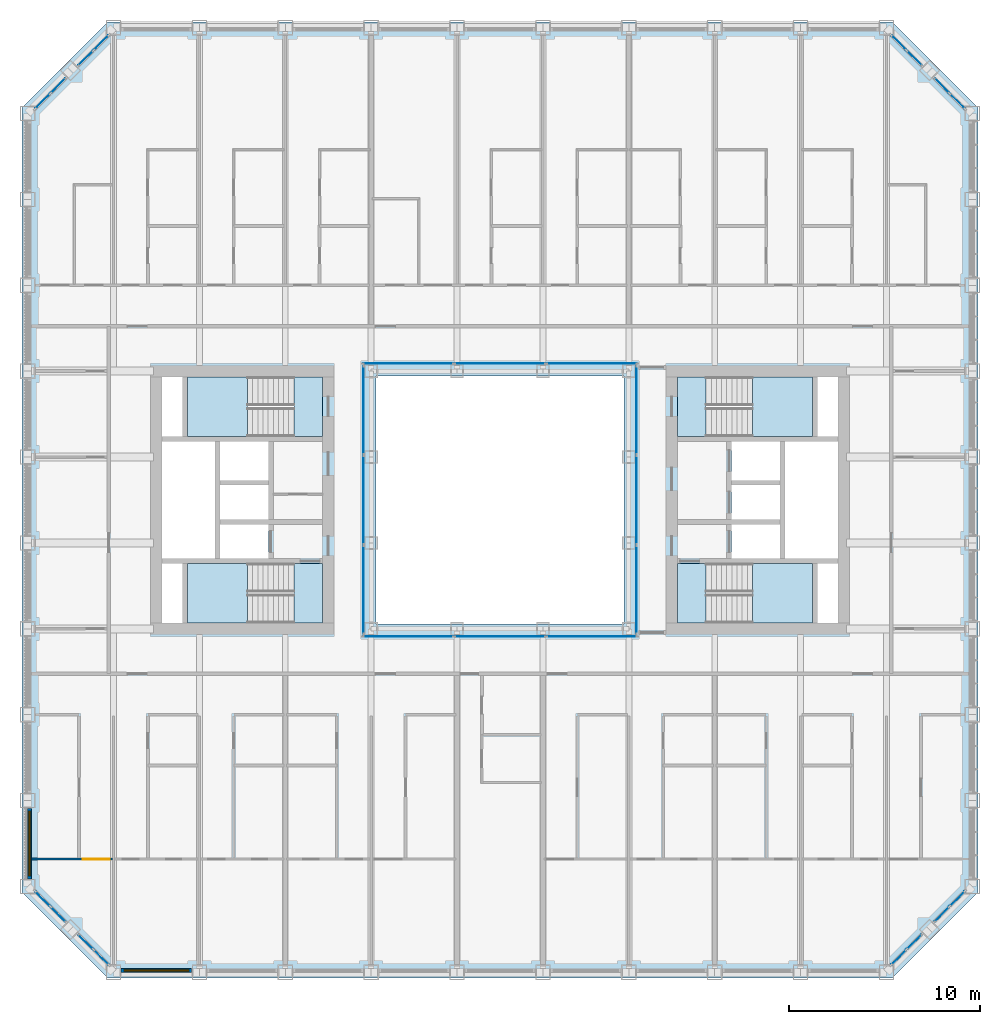
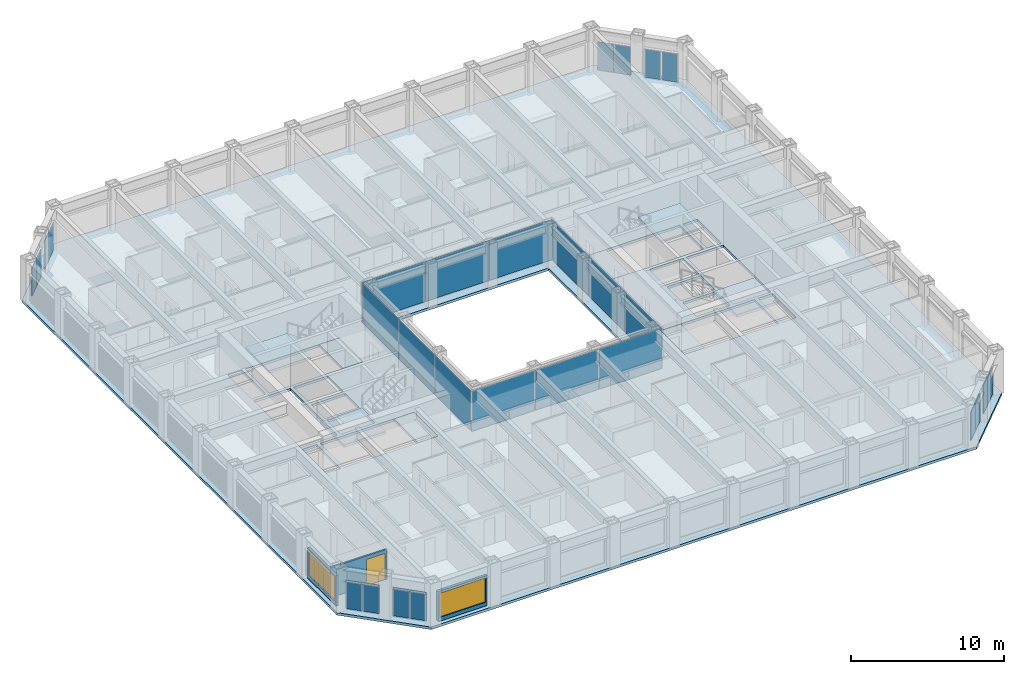
# One storey, part 8 of 21: 28 plates, 9 slabs, 3 walls, 2 windows, 1 door, 3 openings, 16 elements without a shape of their own.
"""IFC4 building model written with IfcOpenShell, lengths in metres."""

from ifc_helpers import new_model, si_unit, direction, frame, frame_2d, origin, origin_2d, place, context, subcontext, project, spatial, polyline, rectangle, outline, extrude, material, layer, layer_set, type_object, element, fill, aggregate, save


model = new_model("IFC4")

# Units and contexts
model_context = context("Model", 3, precision=1e-05, world=origin(), true_north=direction((0.0, 1.0)))
body_context = subcontext(model_context, "Body", "Model", "MODEL_VIEW")
ifc_project = project(units=[si_unit("LENGTHUNIT", "METRE"), si_unit("AREAUNIT", "SQUARE_METRE"), si_unit("VOLUMEUNIT", "CUBIC_METRE"), si_unit("PLANEANGLEUNIT", "RADIAN"), si_unit("MASSUNIT", "GRAM", prefix="KILO")], contexts=[model_context])

# Site, building, storey
site_placement = place(None, origin())
site = spatial("IfcSite", under=ifc_project, at=site_placement, CompositionType="ELEMENT")
building_placement = place(site_placement, origin())
building = spatial("IfcBuilding", under=site, at=building_placement, Name="Msasa Ring Tower", CompositionType="ELEMENT")
storey_placement = place(building_placement, frame((0.0, 0.0, 68.5)))
storey = spatial("IfcBuildingStorey", under=building, at=storey_placement, Name="L17", CompositionType="ELEMENT", Elevation=68.5)

# Curtain wall, plates
ifc_material_1 = material(Name="Aluminium curtain wall with clear glass", Category="aluminium")
curtain_wall_type_1 = type_object("IfcCurtainWallType", Name="CW-C CHAMFER CORNER CURTAIN WALL", PredefinedType="NOTDEFINED", material=ifc_material_1)
curtain_wall_1_placement = place(storey_placement, origin())
curtain_wall_1 = element("IfcCurtainWall", 1, at=curtain_wall_1_placement, inside=storey, type_object=curtain_wall_type_1, Name="Chamfer corner curtain wall SE L17", PredefinedType="NOTDEFINED")
ifc_material_2 = material(Name="Clear laminated insulating glass unit", Category="glass")
ifc_layer_1 = layer(ifc_material_2, 0.031982421875)
ifc_layer_set_1 = layer_set([ifc_layer_1], Name="CW-C GLASS PANEL 32")
plate_type_1 = type_object("IfcPlateType", Name="CW-C GLASS PANEL 32", PredefinedType="CURTAIN_PANEL", material=ifc_layer_set_1)
plate_1_placement = place(storey_placement, frame((20.896484375, -23.962158203125, 0.06494140625), z_axis=(0.0, 0.0, 1.0), x_axis=(0.707106781187, 0.707106781187, 0.0)))
plate_1 = element("IfcPlate", 2, at=plate_1_placement, type_object=plate_type_1, Name="CW-C panel 1.1", PredefinedType="CURTAIN_PANEL", context=body_context, shape_type="SweptSolid", body=[
    extrude(rectangle(XDim=1.08837890625, YDim=0.031982421875, at=origin_2d()), origin(), (0.0, 0.0, 1.0), 2.2490234375),
])
plate_2_placement = place(storey_placement, frame((21.712158203125, -23.146484375, 0.06494140625), z_axis=(0.0, 0.0, 1.0), x_axis=(0.707106781187, 0.707106781187, 0.0)))
plate_2 = element("IfcPlate", 3, at=plate_2_placement, type_object=plate_type_1, Name="CW-C panel 2.1", PredefinedType="CURTAIN_PANEL", context=body_context, shape_type="SweptSolid", body=[
    extrude(rectangle(XDim=1.08837890625, YDim=0.031982421875, at=origin_2d()), origin(), (0.0, 0.0, 1.0), 2.2490234375),
])
aggregate(curtain_wall_1, [plate_1, plate_2])

curtain_wall_2_placement = place(storey_placement, origin())
curtain_wall_2 = element("IfcCurtainWall", 4, at=curtain_wall_2_placement, inside=storey, type_object=curtain_wall_type_1, Name="Chamfer corner curtain wall SE L17", PredefinedType="NOTDEFINED")
plate_3_placement = place(storey_placement, frame((23.146484375, -21.712158203125, 0.06494140625), z_axis=(0.0, 0.0, 1.0), x_axis=(0.707106781187, 0.707106781187, 0.0)))
plate_3 = element("IfcPlate", 5, at=plate_3_placement, type_object=plate_type_1, Name="CW-C panel 1.1", PredefinedType="CURTAIN_PANEL", context=body_context, shape_type="SweptSolid", body=[
    extrude(rectangle(XDim=1.08837890625, YDim=0.031982421875, at=origin_2d()), origin(), (0.0, 0.0, 1.0), 2.2490234375),
])
plate_4_placement = place(storey_placement, frame((23.962158203125, -20.896484375, 0.06494140625), z_axis=(0.0, 0.0, 1.0), x_axis=(0.707106781187, 0.707106781187, 0.0)))
plate_4 = element("IfcPlate", 6, at=plate_4_placement, type_object=plate_type_1, Name="CW-C panel 2.1", PredefinedType="CURTAIN_PANEL", context=body_context, shape_type="SweptSolid", body=[
    extrude(rectangle(XDim=1.08837890625, YDim=0.031982421875, at=origin_2d()), origin(), (0.0, 0.0, 1.0), 2.2490234375),
])
aggregate(curtain_wall_2, [plate_3, plate_4])

curtain_wall_3_placement = place(storey_placement, origin())
curtain_wall_3 = element("IfcCurtainWall", 7, at=curtain_wall_3_placement, inside=storey, type_object=curtain_wall_type_1, Name="Chamfer corner curtain wall NE L17", PredefinedType="NOTDEFINED")
plate_5_placement = place(storey_placement, frame((21.712158203125, 23.146484375, 0.06494140625), z_axis=(0.0, 0.0, 1.0), x_axis=(-0.707106781187, 0.707106781187, 0.0)))
plate_5 = element("IfcPlate", 8, at=plate_5_placement, type_object=plate_type_1, Name="CW-C panel 1.1", PredefinedType="CURTAIN_PANEL", context=body_context, shape_type="SweptSolid", body=[
    extrude(rectangle(XDim=1.08837890625, YDim=0.031982421875, at=origin_2d()), origin(), (0.0, 0.0, 1.0), 2.2490234375),
])
plate_6_placement = place(storey_placement, frame((20.896484375, 23.962158203125, 0.06494140625), z_axis=(0.0, 0.0, 1.0), x_axis=(-0.707106781187, 0.707106781187, 0.0)))
plate_6 = element("IfcPlate", 9, at=plate_6_placement, type_object=plate_type_1, Name="CW-C panel 2.1", PredefinedType="CURTAIN_PANEL", context=body_context, shape_type="SweptSolid", body=[
    extrude(rectangle(XDim=1.08837890625, YDim=0.031982421875, at=origin_2d()), origin(), (0.0, 0.0, 1.0), 2.2490234375),
])
aggregate(curtain_wall_3, [plate_5, plate_6])

curtain_wall_4_placement = place(storey_placement, origin())
curtain_wall_4 = element("IfcCurtainWall", 10, at=curtain_wall_4_placement, inside=storey, type_object=curtain_wall_type_1, Name="Chamfer corner curtain wall NE L17", PredefinedType="NOTDEFINED")
plate_7_placement = place(storey_placement, frame((23.962158203125, 20.896484375, 0.06494140625), z_axis=(0.0, 0.0, 1.0), x_axis=(-0.707106781187, 0.707106781187, 0.0)))
plate_7 = element("IfcPlate", 11, at=plate_7_placement, type_object=plate_type_1, Name="CW-C panel 1.1", PredefinedType="CURTAIN_PANEL", context=body_context, shape_type="SweptSolid", body=[
    extrude(rectangle(XDim=1.08837890625, YDim=0.031982421875, at=origin_2d()), origin(), (0.0, 0.0, 1.0), 2.2490234375),
])
plate_8_placement = place(storey_placement, frame((23.146484375, 21.712158203125, 0.06494140625), z_axis=(0.0, 0.0, 1.0), x_axis=(-0.707106781187, 0.707106781187, 0.0)))
plate_8 = element("IfcPlate", 12, at=plate_8_placement, type_object=plate_type_1, Name="CW-C panel 2.1", PredefinedType="CURTAIN_PANEL", context=body_context, shape_type="SweptSolid", body=[
    extrude(rectangle(XDim=1.08837890625, YDim=0.031982421875, at=origin_2d()), origin(), (0.0, 0.0, 1.0), 2.2490234375),
])
aggregate(curtain_wall_4, [plate_7, plate_8])

curtain_wall_5_placement = place(storey_placement, origin())
curtain_wall_5 = element("IfcCurtainWall", 13, at=curtain_wall_5_placement, inside=storey, type_object=curtain_wall_type_1, Name="Chamfer corner curtain wall NW L17", PredefinedType="NOTDEFINED")
plate_9_placement = place(storey_placement, frame((-23.146484375, 21.712158203125, 0.06494140625), z_axis=(0.0, 0.0, 1.0), x_axis=(-0.707106781187, -0.707106781187, 0.0)))
plate_9 = element("IfcPlate", 14, at=plate_9_placement, type_object=plate_type_1, Name="CW-C panel 1.1", PredefinedType="CURTAIN_PANEL", context=body_context, shape_type="SweptSolid", body=[
    extrude(rectangle(XDim=1.08837890625, YDim=0.031982421875, at=origin_2d()), origin(), (0.0, 0.0, 1.0), 2.2490234375),
])
plate_10_placement = place(storey_placement, frame((-23.962158203125, 20.896484375, 0.06494140625), z_axis=(0.0, 0.0, 1.0), x_axis=(-0.707106781187, -0.707106781187, 0.0)))
plate_10 = element("IfcPlate", 15, at=plate_10_placement, type_object=plate_type_1, Name="CW-C panel 2.1", PredefinedType="CURTAIN_PANEL", context=body_context, shape_type="SweptSolid", body=[
    extrude(rectangle(XDim=1.08837890625, YDim=0.031982421875, at=origin_2d()), origin(), (0.0, 0.0, 1.0), 2.2490234375),
])
aggregate(curtain_wall_5, [plate_9, plate_10])

curtain_wall_6_placement = place(storey_placement, origin())
curtain_wall_6 = element("IfcCurtainWall", 16, at=curtain_wall_6_placement, inside=storey, type_object=curtain_wall_type_1, Name="Chamfer corner curtain wall NW L17", PredefinedType="NOTDEFINED")
plate_11_placement = place(storey_placement, frame((-20.896484375, 23.962158203125, 0.06494140625), z_axis=(0.0, 0.0, 1.0), x_axis=(-0.707106781187, -0.707106781187, 0.0)))
plate_11 = element("IfcPlate", 17, at=plate_11_placement, type_object=plate_type_1, Name="CW-C panel 1.1", PredefinedType="CURTAIN_PANEL", context=body_context, shape_type="SweptSolid", body=[
    extrude(rectangle(XDim=1.08837890625, YDim=0.031982421875, at=origin_2d()), origin(), (0.0, 0.0, 1.0), 2.2490234375),
])
plate_12_placement = place(storey_placement, frame((-21.712158203125, 23.146484375, 0.06494140625), z_axis=(0.0, 0.0, 1.0), x_axis=(-0.707106781187, -0.707106781187, 0.0)))
plate_12 = element("IfcPlate", 18, at=plate_12_placement, type_object=plate_type_1, Name="CW-C panel 2.1", PredefinedType="CURTAIN_PANEL", context=body_context, shape_type="SweptSolid", body=[
    extrude(rectangle(XDim=1.08837890625, YDim=0.031982421875, at=origin_2d()), origin(), (0.0, 0.0, 1.0), 2.2490234375),
])
aggregate(curtain_wall_6, [plate_11, plate_12])

curtain_wall_7_placement = place(storey_placement, origin())
curtain_wall_7 = element("IfcCurtainWall", 19, at=curtain_wall_7_placement, inside=storey, type_object=curtain_wall_type_1, Name="Chamfer corner curtain wall SW L17", PredefinedType="NOTDEFINED")
plate_13_placement = place(storey_placement, frame((-23.962158203125, -20.896484375, 0.06494140625), z_axis=(0.0, 0.0, 1.0), x_axis=(0.707106781187, -0.707106781187, 0.0)))
plate_13 = element("IfcPlate", 20, at=plate_13_placement, type_object=plate_type_1, Name="CW-C panel 1.1", PredefinedType="CURTAIN_PANEL", context=body_context, shape_type="SweptSolid", body=[
    extrude(rectangle(XDim=1.08837890625, YDim=0.031982421875, at=origin_2d()), origin(), (0.0, 0.0, 1.0), 2.2490234375),
])
plate_14_placement = place(storey_placement, frame((-23.146484375, -21.712158203125, 0.06494140625), z_axis=(0.0, 0.0, 1.0), x_axis=(0.707106781187, -0.707106781187, 0.0)))
plate_14 = element("IfcPlate", 21, at=plate_14_placement, type_object=plate_type_1, Name="CW-C panel 2.1", PredefinedType="CURTAIN_PANEL", context=body_context, shape_type="SweptSolid", body=[
    extrude(rectangle(XDim=1.08837890625, YDim=0.031982421875, at=origin_2d()), origin(), (0.0, 0.0, 1.0), 2.2490234375),
])
aggregate(curtain_wall_7, [plate_13, plate_14])

curtain_wall_8_placement = place(storey_placement, origin())
curtain_wall_8 = element("IfcCurtainWall", 22, at=curtain_wall_8_placement, inside=storey, type_object=curtain_wall_type_1, Name="Chamfer corner curtain wall SW L17", PredefinedType="NOTDEFINED")
plate_15_placement = place(storey_placement, frame((-21.712158203125, -23.146484375, 0.06494140625), z_axis=(0.0, 0.0, 1.0), x_axis=(0.707106781187, -0.707106781187, 0.0)))
plate_15 = element("IfcPlate", 23, at=plate_15_placement, type_object=plate_type_1, Name="CW-C panel 1.1", PredefinedType="CURTAIN_PANEL", context=body_context, shape_type="SweptSolid", body=[
    extrude(rectangle(XDim=1.08837890625, YDim=0.031982421875, at=origin_2d()), origin(), (0.0, 0.0, 1.0), 2.2490234375),
])
plate_16_placement = place(storey_placement, frame((-20.896484375, -23.962158203125, 0.06494140625), z_axis=(0.0, 0.0, 1.0), x_axis=(0.707106781187, -0.707106781187, 0.0)))
plate_16 = element("IfcPlate", 24, at=plate_16_placement, type_object=plate_type_1, Name="CW-C panel 2.1", PredefinedType="CURTAIN_PANEL", context=body_context, shape_type="SweptSolid", body=[
    extrude(rectangle(XDim=1.08837890625, YDim=0.031982421875, at=origin_2d()), origin(), (0.0, 0.0, 1.0), 2.2490234375),
])
aggregate(curtain_wall_8, [plate_15, plate_16])

ifc_material_3 = material(Name="Aluminium curtain wall with clear glass", Category="aluminium")
curtain_wall_type_2 = type_object("IfcCurtainWallType", Name="CW-W LIGHT WELL CURTAIN WALL", PredefinedType="NOTDEFINED", material=ifc_material_3)
curtain_wall_9_placement = place(storey_placement, origin())
curtain_wall_9 = element("IfcCurtainWall", 25, at=curtain_wall_9_placement, inside=storey, type_object=curtain_wall_type_2, Name="Light well curtain wall N L17", PredefinedType="NOTDEFINED")
ifc_material_4 = material(Name="Clear laminated insulating glass unit", Category="glass")
ifc_layer_2 = layer(ifc_material_4, 0.028076171875)
ifc_layer_set_2 = layer_set([ifc_layer_2], Name="CW-W GLASS PANEL 28")
plate_type_2 = type_object("IfcPlateType", Name="CW-W GLASS PANEL 28", PredefinedType="CURTAIN_PANEL", material=ifc_layer_set_2)
plate_17_placement = place(storey_placement, frame((-4.804931640625, 7.14990234375, 0.06005859375), z_axis=(0.0, 0.0, 1.0), x_axis=(1.0, 0.0, 0.0)))
plate_17 = element("IfcPlate", 26, at=plate_17_placement, type_object=plate_type_2, Name="CW-W panel 1.1", PredefinedType="CURTAIN_PANEL", context=body_context, shape_type="SweptSolid", body=[
    extrude(rectangle(XDim=4.72998046875, YDim=0.028076171875, at=origin_2d()), origin(), (0.0, 0.0, 1.0), 3.179931640625),
])
plate_18_placement = place(storey_placement, frame((0.0, 7.14990234375, 0.06005859375), z_axis=(0.0, 0.0, 1.0), x_axis=(1.0, 0.0, 0.0)))
plate_18 = element("IfcPlate", 27, at=plate_18_placement, type_object=plate_type_2, Name="CW-W panel 2.1", PredefinedType="CURTAIN_PANEL", context=body_context, shape_type="SweptSolid", body=[
    extrude(rectangle(XDim=4.760009765625, YDim=0.028076171875, at=origin_2d()), origin(), (0.0, 0.0, 1.0), 3.179931640625),
])
plate_19_placement = place(storey_placement, frame((4.804931640625, 7.14990234375, 0.06005859375), z_axis=(0.0, 0.0, 1.0), x_axis=(1.0, 0.0, 0.0)))
plate_19 = element("IfcPlate", 28, at=plate_19_placement, type_object=plate_type_2, Name="CW-W panel 3.1", PredefinedType="CURTAIN_PANEL", context=body_context, shape_type="SweptSolid", body=[
    extrude(rectangle(XDim=4.72998046875, YDim=0.028076171875, at=origin_2d()), origin(), (0.0, 0.0, 1.0), 3.179931640625),
])
aggregate(curtain_wall_9, [plate_17, plate_18, plate_19])

curtain_wall_10_placement = place(storey_placement, origin())
curtain_wall_10 = element("IfcCurtainWall", 29, at=curtain_wall_10_placement, inside=storey, type_object=curtain_wall_type_2, Name="Light well curtain wall S L17", PredefinedType="NOTDEFINED")
plate_20_placement = place(storey_placement, frame((-4.804931640625, -7.14990234375, 0.06005859375), z_axis=(0.0, 0.0, 1.0), x_axis=(1.0, 0.0, 0.0)))
plate_20 = element("IfcPlate", 30, at=plate_20_placement, type_object=plate_type_2, Name="CW-W panel 1.1", PredefinedType="CURTAIN_PANEL", context=body_context, shape_type="SweptSolid", body=[
    extrude(rectangle(XDim=4.72998046875, YDim=0.028076171875, at=origin_2d()), origin(), (0.0, 0.0, 1.0), 3.179931640625),
])
plate_21_placement = place(storey_placement, frame((0.0, -7.14990234375, 0.06005859375), z_axis=(0.0, 0.0, 1.0), x_axis=(1.0, 0.0, 0.0)))
plate_21 = element("IfcPlate", 31, at=plate_21_placement, type_object=plate_type_2, Name="CW-W panel 2.1", PredefinedType="CURTAIN_PANEL", context=body_context, shape_type="SweptSolid", body=[
    extrude(rectangle(XDim=4.760009765625, YDim=0.028076171875, at=origin_2d()), origin(), (0.0, 0.0, 1.0), 3.179931640625),
])
plate_22_placement = place(storey_placement, frame((4.804931640625, -7.14990234375, 0.06005859375), z_axis=(0.0, 0.0, 1.0), x_axis=(1.0, 0.0, 0.0)))
plate_22 = element("IfcPlate", 32, at=plate_22_placement, type_object=plate_type_2, Name="CW-W panel 3.1", PredefinedType="CURTAIN_PANEL", context=body_context, shape_type="SweptSolid", body=[
    extrude(rectangle(XDim=4.72998046875, YDim=0.028076171875, at=origin_2d()), origin(), (0.0, 0.0, 1.0), 3.179931640625),
])
aggregate(curtain_wall_10, [plate_20, plate_21, plate_22])

curtain_wall_11_placement = place(storey_placement, origin())
curtain_wall_11 = element("IfcCurtainWall", 33, at=curtain_wall_11_placement, inside=storey, type_object=curtain_wall_type_2, Name="Light well curtain wall E L17", PredefinedType="NOTDEFINED")
plate_23_placement = place(storey_placement, frame((7.14990234375, -4.6982421875, 0.06005859375), z_axis=(0.0, 0.0, 1.0), x_axis=(0.0, 1.0, 0.0)))
plate_23 = element("IfcPlate", 34, at=plate_23_placement, type_object=plate_type_2, Name="CW-W panel 1.1", PredefinedType="CURTAIN_PANEL", context=body_context, shape_type="SweptSolid", body=[
    extrude(rectangle(XDim=4.623291015625, YDim=0.028076171875, at=origin_2d()), origin(), (0.0, 0.0, 1.0), 3.179931640625),
])
plate_24_placement = place(storey_placement, frame((7.14990234375, 0.0, 0.06005859375), z_axis=(0.0, 0.0, 1.0), x_axis=(0.0, 1.0, 0.0)))
plate_24 = element("IfcPlate", 35, at=plate_24_placement, type_object=plate_type_2, Name="CW-W panel 2.1", PredefinedType="CURTAIN_PANEL", context=body_context, shape_type="SweptSolid", body=[
    extrude(rectangle(XDim=4.6533203125, YDim=0.028076171875, at=origin_2d()), origin(), (0.0, 0.0, 1.0), 3.179931640625),
])
plate_25_placement = place(storey_placement, frame((7.14990234375, 4.6982421875, 0.06005859375), z_axis=(0.0, 0.0, 1.0), x_axis=(0.0, 1.0, 0.0)))
plate_25 = element("IfcPlate", 36, at=plate_25_placement, type_object=plate_type_2, Name="CW-W panel 3.1", PredefinedType="CURTAIN_PANEL", context=body_context, shape_type="SweptSolid", body=[
    extrude(rectangle(XDim=4.623291015625, YDim=0.028076171875, at=origin_2d()), origin(), (0.0, 0.0, 1.0), 3.179931640625),
])
aggregate(curtain_wall_11, [plate_23, plate_24, plate_25])

curtain_wall_12_placement = place(storey_placement, origin())
curtain_wall_12 = element("IfcCurtainWall", 37, at=curtain_wall_12_placement, inside=storey, type_object=curtain_wall_type_2, Name="Light well curtain wall W L17", PredefinedType="NOTDEFINED")
plate_26_placement = place(storey_placement, frame((-7.14990234375, -4.6982421875, 0.06005859375), z_axis=(0.0, 0.0, 1.0), x_axis=(0.0, 1.0, 0.0)))
plate_26 = element("IfcPlate", 38, at=plate_26_placement, type_object=plate_type_2, Name="CW-W panel 1.1", PredefinedType="CURTAIN_PANEL", context=body_context, shape_type="SweptSolid", body=[
    extrude(rectangle(XDim=4.623291015625, YDim=0.028076171875, at=origin_2d()), origin(), (0.0, 0.0, 1.0), 3.179931640625),
])
plate_27_placement = place(storey_placement, frame((-7.14990234375, 0.0, 0.06005859375), z_axis=(0.0, 0.0, 1.0), x_axis=(0.0, 1.0, 0.0)))
plate_27 = element("IfcPlate", 39, at=plate_27_placement, type_object=plate_type_2, Name="CW-W panel 2.1", PredefinedType="CURTAIN_PANEL", context=body_context, shape_type="SweptSolid", body=[
    extrude(rectangle(XDim=4.6533203125, YDim=0.028076171875, at=origin_2d()), origin(), (0.0, 0.0, 1.0), 3.179931640625),
])
plate_28_placement = place(storey_placement, frame((-7.14990234375, 4.6982421875, 0.06005859375), z_axis=(0.0, 0.0, 1.0), x_axis=(0.0, 1.0, 0.0)))
plate_28 = element("IfcPlate", 40, at=plate_28_placement, type_object=plate_type_2, Name="CW-W panel 3.1", PredefinedType="CURTAIN_PANEL", context=body_context, shape_type="SweptSolid", body=[
    extrude(rectangle(XDim=4.623291015625, YDim=0.028076171875, at=origin_2d()), origin(), (0.0, 0.0, 1.0), 3.179931640625),
])
aggregate(curtain_wall_12, [plate_26, plate_27, plate_28])

# Stair, slabs
ifc_material_5 = material(Name="Concrete C40/50", Category="concrete")
stair_type = type_object("IfcStairType", Name="STC CORE STAIR 20 RISERS 175", PredefinedType="HALF_TURN_STAIR", material=ifc_material_5)
stair_1_placement = place(storey_placement, origin())
stair_1 = element("IfcStair", 41, at=stair_1_placement, inside=storey, type_object=stair_type, Name="Core stair SEA L17", PredefinedType="HALF_TURN_STAIR")
ifc_material_6 = material(Name="Concrete C40/50", Category="concrete")
ifc_layer_3 = layer(ifc_material_6, 0.199951171875)
ifc_layer_set_3 = layer_set([ifc_layer_3], Name="LD1 CORE STAIR LANDING 200")
slab_type_1 = type_object("IfcSlabType", Name="LD1 CORE STAIR LANDING 200", PredefinedType="LANDING", material=ifc_layer_set_3)
slab_1_placement = place(storey_placement, frame((0.0, 0.0, -0.199951171875)))
slab_1 = element("IfcSlab", 42, at=slab_1_placement, type_object=slab_type_1, Name="SEA landing 1", PredefinedType="LANDING", context=body_context, shape_type="SweptSolid", body=[
    extrude(outline(polyline([(9.300048828125, -6.449951171875), (10.800048828125, -6.449951171875), (10.800048828125, -3.324951171875), (9.300048828125, -3.324951171875), (9.300048828125, -6.449951171875)])), origin(), (0.0, 0.0, 1.0), 0.199951171875),
])
slab_2_placement = place(storey_placement, frame((0.0, 0.0, 1.550048828125)))
slab_2 = element("IfcSlab", 43, at=slab_2_placement, type_object=slab_type_1, Name="SEA landing 2", PredefinedType="LANDING", context=body_context, shape_type="SweptSolid", body=[
    extrude(outline(polyline([(13.22998046875, -6.449951171875), (16.375, -6.449951171875), (16.375, -3.324951171875), (13.22998046875, -3.324951171875), (13.22998046875, -6.449951171875)])), origin(), (0.0, 0.0, 1.0), 0.199951171875),
])
aggregate(stair_1, [slab_1, slab_2])

stair_2_placement = place(storey_placement, origin())
stair_2 = element("IfcStair", 44, at=stair_2_placement, inside=storey, type_object=stair_type, Name="Core stair SEB L17", PredefinedType="HALF_TURN_STAIR")
slab_3_placement = place(storey_placement, frame((0.0, 0.0, -0.199951171875)))
slab_3 = element("IfcSlab", 45, at=slab_3_placement, type_object=slab_type_1, Name="SEB landing 1", PredefinedType="LANDING", context=body_context, shape_type="SweptSolid", body=[
    extrude(outline(polyline([(9.300048828125, 3.324951171875), (10.800048828125, 3.324951171875), (10.800048828125, 6.449951171875), (9.300048828125, 6.449951171875), (9.300048828125, 3.324951171875)])), origin(), (0.0, 0.0, 1.0), 0.199951171875),
])
slab_4_placement = place(storey_placement, frame((0.0, 0.0, 1.550048828125)))
slab_4 = element("IfcSlab", 46, at=slab_4_placement, type_object=slab_type_1, Name="SEB landing 2", PredefinedType="LANDING", context=body_context, shape_type="SweptSolid", body=[
    extrude(outline(polyline([(13.22998046875, 3.324951171875), (16.375, 3.324951171875), (16.375, 6.449951171875), (13.22998046875, 6.449951171875), (13.22998046875, 3.324951171875)])), origin(), (0.0, 0.0, 1.0), 0.199951171875),
])
aggregate(stair_2, [slab_3, slab_4])

stair_3_placement = place(storey_placement, origin())
stair_3 = element("IfcStair", 47, at=stair_3_placement, inside=storey, type_object=stair_type, Name="Core stair SWA L17", PredefinedType="HALF_TURN_STAIR")
slab_5_placement = place(storey_placement, frame((0.0, 0.0, -0.199951171875)))
slab_5 = element("IfcSlab", 48, at=slab_5_placement, type_object=slab_type_1, Name="SWA landing 1", PredefinedType="LANDING", context=body_context, shape_type="SweptSolid", body=[
    extrude(outline(polyline([(-10.800048828125, -6.449951171875), (-9.300048828125, -6.449951171875), (-9.300048828125, -3.324951171875), (-10.800048828125, -3.324951171875), (-10.800048828125, -6.449951171875)])), origin(), (0.0, 0.0, 1.0), 0.199951171875),
])
slab_6_placement = place(storey_placement, frame((0.0, 0.0, 1.550048828125)))
slab_6 = element("IfcSlab", 49, at=slab_6_placement, type_object=slab_type_1, Name="SWA landing 2", PredefinedType="LANDING", context=body_context, shape_type="SweptSolid", body=[
    extrude(outline(polyline([(-16.375, -6.449951171875), (-13.22998046875, -6.449951171875), (-13.22998046875, -3.324951171875), (-16.375, -3.324951171875), (-16.375, -6.449951171875)])), origin(), (0.0, 0.0, 1.0), 0.199951171875),
])
aggregate(stair_3, [slab_5, slab_6])

stair_4_placement = place(storey_placement, origin())
stair_4 = element("IfcStair", 50, at=stair_4_placement, inside=storey, type_object=stair_type, Name="Core stair SWB L17", PredefinedType="HALF_TURN_STAIR")
slab_7_placement = place(storey_placement, frame((0.0, 0.0, -0.199951171875)))
slab_7 = element("IfcSlab", 51, at=slab_7_placement, type_object=slab_type_1, Name="SWB landing 1", PredefinedType="LANDING", context=body_context, shape_type="SweptSolid", body=[
    extrude(outline(polyline([(-10.800048828125, 3.324951171875), (-9.300048828125, 3.324951171875), (-9.300048828125, 6.449951171875), (-10.800048828125, 6.449951171875), (-10.800048828125, 3.324951171875)])), origin(), (0.0, 0.0, 1.0), 0.199951171875),
])
slab_8_placement = place(storey_placement, frame((0.0, 0.0, 1.550048828125)))
slab_8 = element("IfcSlab", 52, at=slab_8_placement, type_object=slab_type_1, Name="SWB landing 2", PredefinedType="LANDING", context=body_context, shape_type="SweptSolid", body=[
    extrude(outline(polyline([(-16.375, 3.324951171875), (-13.22998046875, 3.324951171875), (-13.22998046875, 6.449951171875), (-16.375, 6.449951171875), (-16.375, 3.324951171875)])), origin(), (0.0, 0.0, 1.0), 0.199951171875),
])
aggregate(stair_4, [slab_7, slab_8])

# Slab
ifc_material_7 = material(Name="Concrete C40/50", Category="concrete")
ifc_layer_4 = layer(ifc_material_7, 0.199951171875)
ifc_layer_set_4 = layer_set([ifc_layer_4], Name="S3 RESIDENCE FLOOR 200")
slab_type_2 = type_object("IfcSlabType", Name="S3 RESIDENCE FLOOR 200", PredefinedType="FLOOR", material=ifc_layer_set_4)
slab_9_placement = place(storey_placement, frame((0.0, 0.0, -0.199951171875)))
element("IfcSlab", 53, at=slab_9_placement, inside=storey, type_object=slab_type_2, Name="Floor slab L17", PredefinedType="FLOOR", context=body_context, shape_type="SweptSolid", body=[
    extrude(outline(polyline([(-20.550048828125, -25.050048828125), (20.550048828125, -25.050048828125), (25.050048828125, -20.550048828125), (25.050048828125, 20.550048828125), (20.550048828125, 25.050048828125), (-20.550048828125, 25.050048828125), (-25.050048828125, 20.550048828125), (-25.050048828125, -20.550048828125), (-20.550048828125, -25.050048828125)]), holes=[polyline([(-6.5, -6.5), (6.5, -6.5), (6.5, 6.5), (-6.5, 6.5), (-6.5, -6.5)]), polyline([(9.300048828125, -6.449951171875), (16.375, -6.449951171875), (16.375, -3.324951171875), (9.300048828125, -3.324951171875), (9.300048828125, -6.449951171875)]), polyline([(9.300048828125, 3.324951171875), (16.375, 3.324951171875), (16.375, 6.449951171875), (9.300048828125, 6.449951171875), (9.300048828125, 3.324951171875)]), polyline([(12.125, -3.074951171875), (14.675048828125, -3.074951171875), (14.675048828125, -1.27490234375), (12.125, -1.27490234375), (12.125, -3.074951171875)]), polyline([(12.125, -1.02490234375), (14.675048828125, -1.02490234375), (14.675048828125, 0.77490234375), (12.125, 0.77490234375), (12.125, -1.02490234375)]), polyline([(12.125, 1.02490234375), (14.675048828125, 1.02490234375), (14.675048828125, 3.074951171875), (12.125, 3.074951171875), (12.125, 1.02490234375)]), polyline([(16.625, -6.449951171875), (17.699951171875, -6.449951171875), (17.699951171875, -3.324951171875), (16.625, -3.324951171875), (16.625, -6.449951171875)]), polyline([(16.625, 3.324951171875), (17.699951171875, 3.324951171875), (17.699951171875, 6.449951171875), (16.625, 6.449951171875), (16.625, 3.324951171875)]), polyline([(14.925048828125, -3.074951171875), (17.699951171875, -3.074951171875), (17.699951171875, 3.074951171875), (14.925048828125, 3.074951171875), (14.925048828125, -3.074951171875)]), polyline([(-16.375, -6.449951171875), (-9.300048828125, -6.449951171875), (-9.300048828125, -3.324951171875), (-16.375, -3.324951171875), (-16.375, -6.449951171875)]), polyline([(-16.375, 3.324951171875), (-9.300048828125, 3.324951171875), (-9.300048828125, 6.449951171875), (-16.375, 6.449951171875), (-16.375, 3.324951171875)]), polyline([(-14.675048828125, -3.074951171875), (-12.125, -3.074951171875), (-12.125, -1.27490234375), (-14.675048828125, -1.27490234375), (-14.675048828125, -3.074951171875)]), polyline([(-14.675048828125, -1.02490234375), (-12.125, -1.02490234375), (-12.125, 0.77490234375), (-14.675048828125, 0.77490234375), (-14.675048828125, -1.02490234375)]), polyline([(-14.675048828125, 1.02490234375), (-12.125, 1.02490234375), (-12.125, 3.074951171875), (-14.675048828125, 3.074951171875), (-14.675048828125, 1.02490234375)]), polyline([(-17.699951171875, -6.449951171875), (-16.625, -6.449951171875), (-16.625, -3.324951171875), (-17.699951171875, -3.324951171875), (-17.699951171875, -6.449951171875)]), polyline([(-17.699951171875, 3.324951171875), (-16.625, 3.324951171875), (-16.625, 6.449951171875), (-17.699951171875, 6.449951171875), (-17.699951171875, 3.324951171875)]), polyline([(-17.699951171875, -3.074951171875), (-14.925048828125, -3.074951171875), (-14.925048828125, 3.074951171875), (-17.699951171875, 3.074951171875), (-17.699951171875, -3.074951171875)])]), origin(), (0.0, 0.0, 1.0), 0.199951171875),
])

# Wall, opening, window
ifc_material_8 = material(Name="Terracotta rainscreen on blockwork", Category="masonry")
ifc_layer_5 = layer(ifc_material_8, 0.199951171875)
ifc_layer_set_5 = layer_set([ifc_layer_5], Name="FW1 TERRACOTTA-LINED INFILL BAY WALL 200")
wall_type_1 = type_object("IfcWallType", Name="FW1 TERRACOTTA-LINED INFILL BAY WALL 200", PredefinedType="SOLIDWALL", material=ifc_layer_set_5)
wall_1_placement = place(storey_placement, frame((-19.844970703125, -24.64990234375, 0.0), z_axis=(0.0, 0.0, 1.0), x_axis=(1.0, 0.0, 0.0)))
wall_1 = element("IfcWall", 54, at=wall_1_placement, inside=storey, type_object=wall_type_1, Name="Infill bay wall S L17 00", PredefinedType="SOLIDWALL", context=body_context, shape_type="SweptSolid", body=[
    extrude(rectangle(XDim=3.68994140625, YDim=0.199951171875, at=frame_2d((1.844970703125, 0.0))), origin(), (0.0, 0.0, 1.0), 2.37890625),
])
opening_1_placement = place(wall_1_placement, frame((0.14501953125, 0.0, 0.300048828125)))
opening_1 = element("IfcOpeningElement", 55, at=opening_1_placement, cuts=wall_1, Name="Opening WN1", PredefinedType="OPENING", context=body_context, shape_type="SweptSolid", body=[
    extrude(rectangle(XDim=3.39990234375, YDim=1.928955078125, at=frame_2d((1.699951171875, 0.96435546875))), frame((0.0, 0.10986328125, 0.0), z_axis=(0.0, -1.0, 0.0), x_axis=(1.0, 0.0, 0.0)), (0.0, 0.0, 1.0), 0.219970703125),
])
ifc_material_9 = material(Name="Aluminium frame with clear glass", Category="aluminium")
window_type = type_object("IfcWindowType", Name="WN1 RESIDENCE WINDOW 3400x1929", PartitioningType="SINGLE_PANEL", PredefinedType="WINDOW", material=ifc_material_9)
window_1_placement = place(opening_1_placement, origin())
window_1 = element("IfcWindow", 56, at=window_1_placement, inside=storey, type_object=window_type, Name="Window S L17 00", OverallHeight=1.928955078125, OverallWidth=3.39990234375, PartitioningType="SINGLE_PANEL", PredefinedType="WINDOW", context=body_context, shape_type="SweptSolid", body=[
    extrude(rectangle(XDim=3.39990234375, YDim=1.928955078125, at=frame_2d((1.699951171875, 0.96435546875))), frame((0.0, 0.030029296875, 0.0), z_axis=(0.0, -1.0, 0.0), x_axis=(1.0, 0.0, 0.0)), (0.0, 0.0, 1.0), 0.06005859375),
])
fill(opening_1, window_1)

wall_2_placement = place(storey_placement, frame((-24.64990234375, -19.844970703125, 0.0), z_axis=(0.0, 0.0, 1.0), x_axis=(0.0, 1.0, 0.0)))
wall_2 = element("IfcWall", 57, at=wall_2_placement, inside=storey, type_object=wall_type_1, Name="Infill bay wall W L17 33", PredefinedType="SOLIDWALL", context=body_context, shape_type="SweptSolid", body=[
    extrude(rectangle(XDim=3.68994140625, YDim=0.199951171875, at=frame_2d((1.844970703125, 0.0))), origin(), (0.0, 0.0, 1.0), 2.37890625),
])
opening_2_placement = place(wall_2_placement, frame((0.14501953125, 0.0, 0.300048828125)))
opening_2 = element("IfcOpeningElement", 58, at=opening_2_placement, cuts=wall_2, Name="Opening WN1", PredefinedType="OPENING", context=body_context, shape_type="SweptSolid", body=[
    extrude(rectangle(XDim=3.39990234375, YDim=1.928955078125, at=frame_2d((1.699951171875, 0.96435546875))), frame((0.0, 0.10986328125, 0.0), z_axis=(0.0, -1.0, 0.0), x_axis=(1.0, 0.0, 0.0)), (0.0, 0.0, 1.0), 0.219970703125),
])
window_2_placement = place(opening_2_placement, origin())
window_2 = element("IfcWindow", 59, at=window_2_placement, inside=storey, type_object=window_type, Name="Window W L17 33", OverallHeight=1.928955078125, OverallWidth=3.39990234375, PartitioningType="SINGLE_PANEL", PredefinedType="WINDOW", context=body_context, shape_type="SweptSolid", body=[
    extrude(rectangle(XDim=3.39990234375, YDim=1.928955078125, at=frame_2d((1.699951171875, 0.96435546875))), frame((0.0, 0.030029296875, 0.0), z_axis=(0.0, -1.0, 0.0), x_axis=(1.0, 0.0, 0.0)), (0.0, 0.0, 1.0), 0.06005859375),
])
fill(opening_2, window_2)

# Wall, opening, door
ifc_material_10 = material(Name="Two layers of acoustic board each face on steel studs, mineral wool", Category="steel")
ifc_layer_6 = layer(ifc_material_10, 0.125)
ifc_layer_set_6 = layer_set([ifc_layer_6], Name="PT6 ACOUSTIC DOUBLE-BOARD PARTITION 125")
wall_type_2 = type_object("IfcWallType", Name="PT6 ACOUSTIC DOUBLE-BOARD PARTITION 125", PredefinedType="PARTITIONING", material=ifc_layer_set_6)
wall_3_placement = place(storey_placement, frame((-24.550048828125, -18.8125, 0.0), z_axis=(0.0, 0.0, 1.0), x_axis=(1.0, 0.0, 0.0)))
wall_3 = element("IfcWall", 60, at=wall_3_placement, inside=storey, type_object=wall_type_2, Name="Partition L17-US00SY0", PredefinedType="PARTITIONING", context=body_context, shape_type="SweptSolid", body=[
    extrude(rectangle(XDim=4.237548828125, YDim=0.125, at=frame_2d((2.11865234375, 0.0))), origin(), (0.0, 0.0, 1.0), 2.373291015625),
])
opening_3_placement = place(wall_3_placement, frame((2.699951171875, 0.0, 0.0)))
opening_3 = element("IfcOpeningElement", 61, at=opening_3_placement, cuts=wall_3, Name="Opening RE-073", PredefinedType="OPENING", context=body_context, shape_type="SweptSolid", body=[
    extrude(rectangle(XDim=1.39990234375, YDim=2.10009765625, at=frame_2d((0.699951171875, 1.050048828125))), frame((0.0, 0.072509765625, 0.0), z_axis=(0.0, -1.0, 0.0), x_axis=(1.0, 0.0, 0.0)), (0.0, 0.0, 1.0), 0.14501953125),
])
ifc_material_11 = material(Name="Timber door leaf in a steel frame", Category="steel")
door_type = type_object("IfcDoorType", Name="D15 LIVING ROOM PAIR OF GLAZED DOORS 1400x2100", OperationType="SINGLE_SWING_LEFT", PredefinedType="DOOR", material=ifc_material_11)
door_placement = place(opening_3_placement, origin())
door = element("IfcDoor", 62, at=door_placement, inside=storey, type_object=door_type, Name="Door L17-US00L", OperationType="SINGLE_SWING_RIGHT", OverallHeight=2.10009765625, OverallWidth=1.39990234375, PredefinedType="DOOR", context=body_context, shape_type="SweptSolid", body=[
    extrude(rectangle(XDim=1.39990234375, YDim=2.10009765625, at=frame_2d((0.699951171875, 1.050048828125))), frame((0.0, 0.02490234375, 0.0), z_axis=(0.0, -1.0, 0.0), x_axis=(1.0, 0.0, 0.0)), (0.0, 0.0, 1.0), 0.050048828125),
])
fill(opening_3, door)

save(model, "model.ifc")
